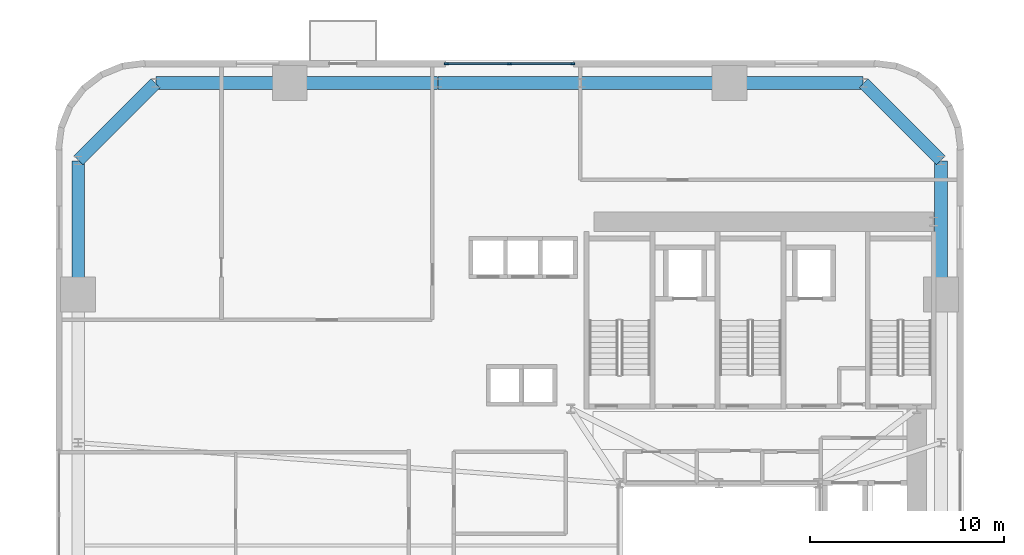
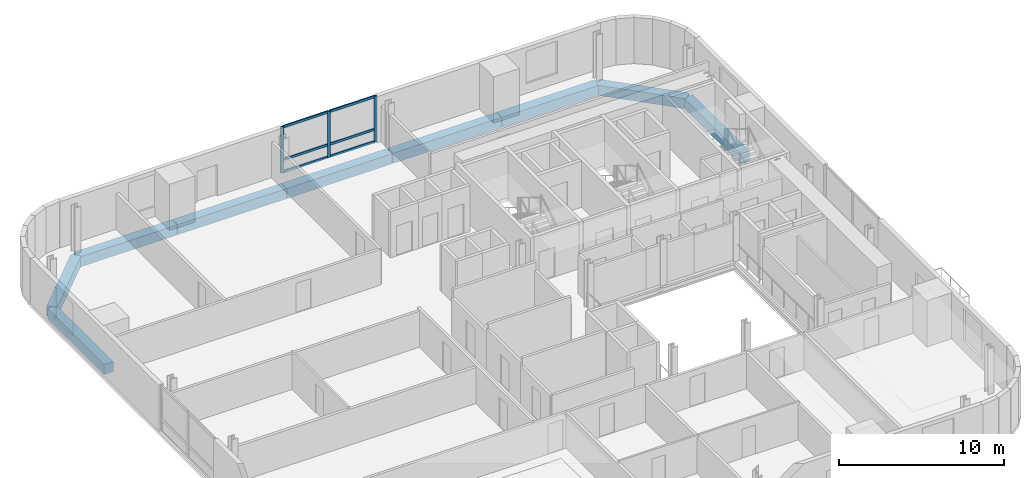
# One storey, part 4 of 13: 9 beams, 9 members, 1 element without a shape of its own.
"""IFC4 building model written with IfcOpenShell, lengths in metres."""

from ifc_helpers import new_model, si_unit, direction, frame, origin, origin_2d, place, context, subcontext, project, spatial, rectangle, extrude, source, transform, mapped, material, material_profile, profile_set, type_object, element, aggregate, save


model = new_model("IFC4")

# Units and contexts
model_context = context("Model", 3, precision=1e-05, world=origin(), true_north=direction((0.0, 1.0)))
body_context = subcontext(model_context, "Body", "Model", "MODEL_VIEW")
ifc_project = project(units=[si_unit("LENGTHUNIT", "METRE"), si_unit("AREAUNIT", "SQUARE_METRE"), si_unit("VOLUMEUNIT", "CUBIC_METRE"), si_unit("PLANEANGLEUNIT", "RADIAN"), si_unit("MASSUNIT", "GRAM", prefix="KILO")], contexts=[model_context])

# Site, building, storey
site_placement = place(None, origin())
site = spatial("IfcSite", under=ifc_project, at=site_placement, CompositionType="ELEMENT")
building_placement = place(site_placement, origin())
building = spatial("IfcBuilding", under=site, at=building_placement, Name="Vardaveli Station Tower", CompositionType="ELEMENT")
storey_placement = place(building_placement, frame((0.0, 0.0, 67.75)))
storey = spatial("IfcBuildingStorey", under=building, at=storey_placement, Name="L17", CompositionType="ELEMENT", Elevation=67.75)

# Beams
ifc_material_1 = material(Name="Precast concrete C45/55", Category="concrete")
ifc_material_profile_1 = material_profile(ifc_material_1, rectangle(XDim=0.64990234375, YDim=0.75, at=origin_2d()), Name="LPB 650x750")
ifc_profile_set_1 = profile_set([ifc_material_profile_1], Name="Precast concrete C45/55")
beam_type = type_object("IfcBeamType", Name="BM-LPB-750", PredefinedType="BEAM", material=ifc_profile_set_1)
shared_shape_1 = source(origin(), body_context, "Body", "SweptSolid", [
    extrude(rectangle(XDim=0.64990234375, YDim=0.75, at=origin_2d()), origin(), (0.0, 0.0, 1.0), 7.60009765625),
])
for number, where, z_axis, x_axis, name in (
    (1, (36.820068359375, 47.449951171875, -0.614990234375), (-1.0, 0.0, 0.0), (0.0, -1.0, 0.0), "RBM-L17-13"),
    (2, (21.780029296875, 47.449951171875, -0.614990234375), (-1.0, 0.0, 0.0), (0.0, -1.0, 0.0), "RBM-L17-15"),
):
    element("IfcBeam", number, at=place(storey_placement, frame(where, z_axis=z_axis, x_axis=x_axis)), inside=storey, type_object=beam_type, Name=name, PredefinedType="BEAM", context=body_context, shape_type="MappedRepresentation", body=[
        mapped(shared_shape_1, transform((0.0, 0.0, 0.0), scale=1.0)),
    ])
shared_shape_2 = source(origin(), body_context, "Body", "SweptSolid", [
    extrude(rectangle(XDim=0.64990234375, YDim=0.75, at=origin_2d()), origin(), (0.0, 0.0, 1.0), 7.35986328125),
])
beam_placement = place(storey_placement, frame((29.179931640625, 47.449951171875, -0.614990234375), z_axis=(-1.0, 0.0, 0.0), x_axis=(0.0, -1.0, 0.0)))
element("IfcBeam", 3, at=beam_placement, inside=storey, type_object=beam_type, Name="RBM-L17-14", PredefinedType="BEAM", context=body_context, shape_type="MappedRepresentation", body=[
    mapped(shared_shape_2, transform((0.0, 0.0, 0.0), scale=1.0)),
])
shared_shape_3 = source(origin(), body_context, "Body", "SweptSolid", [
    extrude(rectangle(XDim=0.64990234375, YDim=0.75, at=origin_2d()), origin(), (0.0, 0.0, 1.0), 6.869873046875),
])
for number, where, z_axis, x_axis, name in (
    (4, (47.75, 36.56005859375, -0.614990234375), (0.0, 1.0, 0.0), (-1.0, 0.0, 0.0), "RBM-L17-10"),
    (5, (43.72998046875, 47.449951171875, -0.614990234375), (-1.0, 0.0, 0.0), (0.0, -1.0, 0.0), "RBM-L17-12"),
    (6, (14.139892578125, 47.449951171875, -0.614990234375), (-1.0, 0.0, 0.0), (0.0, -1.0, 0.0), "RBM-L17-16"),
    (7, (3.25, 43.429931640625, -0.614990234375), (0.0, -1.0, 0.0), (1.0, 0.0, 0.0), "RBM-L17-18"),
):
    element("IfcBeam", number, at=place(storey_placement, frame(where, z_axis=z_axis, x_axis=x_axis)), inside=storey, type_object=beam_type, Name=name, PredefinedType="BEAM", context=body_context, shape_type="MappedRepresentation", body=[
        mapped(shared_shape_3, transform((0.0, 0.0, 0.0), scale=1.0)),
    ])
shared_shape_4 = source(origin(), body_context, "Body", "SweptSolid", [
    extrude(rectangle(XDim=0.64990234375, YDim=0.75, at=origin_2d()), origin(), (0.0, 0.0, 1.0), 5.61669921875),
])
for number, where, z_axis, x_axis, name in (
    (8, (47.73583984375, 43.464111328125, -0.614990234375), (-0.707106781187, 0.707106781187, 0.0), (-0.707106781187, -0.707106781187, 0.0), "RBM-L17-11"),
    (9, (7.23583984375, 47.435791015625, -0.614990234375), (-0.707106781187, -0.707106781187, 0.0), (0.707106781187, -0.707106781187, 0.0), "RBM-L17-17"),
):
    element("IfcBeam", number, at=place(storey_placement, frame(where, z_axis=z_axis, x_axis=x_axis)), inside=storey, type_object=beam_type, Name=name, PredefinedType="BEAM", context=body_context, shape_type="MappedRepresentation", body=[
        mapped(shared_shape_4, transform((0.0, 0.0, 0.0), scale=1.0)),
    ])

# Curtain wall, members
ifc_material_2 = material(Name="Travertine stone and solar-control glass", Category="masonry")
curtain_wall_type = type_object("IfcCurtainWallType", Name="CW-SYS-2", PredefinedType="NOTDEFINED", material=ifc_material_2)
curtain_wall_placement = place(storey_placement, origin())
curtain_wall = element("IfcCurtainWall", 10, at=curtain_wall_placement, inside=storey, type_object=curtain_wall_type, Name="CW-L17-N", PredefinedType="NOTDEFINED")
ifc_material_3 = material(Name="Anodised aluminium alloy 6063-T6", Category="aluminium")
ifc_material_profile_2 = material_profile(ifc_material_3, rectangle(XDim=0.0849609375, YDim=0.219970703125, at=origin_2d()), Name="CWM 85x220")
ifc_profile_set_2 = profile_set([ifc_material_profile_2], Name="Anodised aluminium alloy 6063-T6")
member_type_1 = type_object("IfcMemberType", Name="CW-SYS-2-MULL", PredefinedType="MULLION", material=ifc_profile_set_2)
shared_shape_5 = source(origin(), body_context, "Body", "SweptSolid", [
    extrude(rectangle(XDim=0.0849609375, YDim=0.219970703125, at=origin_2d()), origin(), (0.0, 0.0, 1.0), 3.409912109375),
])
member_1_placement = place(storey_placement, frame((28.757568359375, 48.43994140625, 0.0), z_axis=(0.0, 0.0, 1.0), x_axis=(0.0, -1.0, 0.0)))
member_1 = element("IfcMember", 11, at=member_1_placement, type_object=member_type_1, Name="CW-2 mullion 1", PredefinedType="MULLION", context=body_context, shape_type="MappedRepresentation", body=[
    mapped(shared_shape_5, transform((0.0, 0.0, 0.0), scale=1.0)),
])
member_2_placement = place(storey_placement, frame((25.5, 48.43994140625, 0.0), z_axis=(0.0, 0.0, 1.0), x_axis=(0.0, -1.0, 0.0)))
member_2 = element("IfcMember", 12, at=member_2_placement, type_object=member_type_1, Name="CW-2 mullion 2", PredefinedType="MULLION", context=body_context, shape_type="MappedRepresentation", body=[
    mapped(shared_shape_5, transform((0.0, 0.0, 0.0), scale=1.0)),
])
member_3_placement = place(storey_placement, frame((22.242431640625, 48.43994140625, 0.0), z_axis=(0.0, 0.0, 1.0), x_axis=(0.0, -1.0, 0.0)))
member_3 = element("IfcMember", 13, at=member_3_placement, type_object=member_type_1, Name="CW-2 mullion 3", PredefinedType="MULLION", context=body_context, shape_type="MappedRepresentation", body=[
    mapped(shared_shape_5, transform((0.0, 0.0, 0.0), scale=1.0)),
])
ifc_material_profile_3 = material_profile(ifc_material_3, rectangle(XDim=0.0849609375, YDim=0.179931640625, at=origin_2d()), Name="CWT 85x180")
ifc_profile_set_3 = profile_set([ifc_material_profile_3], Name="Anodised aluminium alloy 6063-T6")
member_type_2 = type_object("IfcMemberType", Name="CW-SYS-2-TRAN", PredefinedType="NOTDEFINED", material=ifc_profile_set_3)
shared_shape_6 = source(origin(), body_context, "Body", "SweptSolid", [
    extrude(rectangle(XDim=0.0849609375, YDim=0.179931640625, at=origin_2d()), origin(), (0.0, 0.0, 1.0), 3.172607421875),
])
member_4_placement = place(storey_placement, frame((28.715087890625, 48.43994140625, 0.04248046875), z_axis=(-1.0, 0.0, 0.0), x_axis=(0.0, -1.0, 0.0)))
member_4 = element("IfcMember", 14, at=member_4_placement, type_object=member_type_2, Name="CW-2 transom 1.1", ObjectType="TRANSOM", PredefinedType="USERDEFINED", context=body_context, shape_type="MappedRepresentation", body=[
    mapped(shared_shape_6, transform((0.0, 0.0, 0.0), scale=1.0)),
])
member_5_placement = place(storey_placement, frame((28.715087890625, 48.43994140625, 0.949951171875), z_axis=(-1.0, 0.0, 0.0), x_axis=(0.0, -1.0, 0.0)))
member_5 = element("IfcMember", 15, at=member_5_placement, type_object=member_type_2, Name="CW-2 transom 1.2", ObjectType="TRANSOM", PredefinedType="USERDEFINED", context=body_context, shape_type="MappedRepresentation", body=[
    mapped(shared_shape_6, transform((0.0, 0.0, 0.0), scale=1.0)),
])
member_6_placement = place(storey_placement, frame((28.715087890625, 48.43994140625, 3.367431640625), z_axis=(-1.0, 0.0, 0.0), x_axis=(0.0, -1.0, 0.0)))
member_6 = element("IfcMember", 16, at=member_6_placement, type_object=member_type_2, Name="CW-2 transom 1.3", ObjectType="TRANSOM", PredefinedType="USERDEFINED", context=body_context, shape_type="MappedRepresentation", body=[
    mapped(shared_shape_6, transform((0.0, 0.0, 0.0), scale=1.0)),
])
member_7_placement = place(storey_placement, frame((25.45751953125, 48.43994140625, 0.04248046875), z_axis=(-1.0, 0.0, 0.0), x_axis=(0.0, -1.0, 0.0)))
member_7 = element("IfcMember", 17, at=member_7_placement, type_object=member_type_2, Name="CW-2 transom 2.1", ObjectType="TRANSOM", PredefinedType="USERDEFINED", context=body_context, shape_type="MappedRepresentation", body=[
    mapped(shared_shape_6, transform((0.0, 0.0, 0.0), scale=1.0)),
])
member_8_placement = place(storey_placement, frame((25.45751953125, 48.43994140625, 0.949951171875), z_axis=(-1.0, 0.0, 0.0), x_axis=(0.0, -1.0, 0.0)))
member_8 = element("IfcMember", 18, at=member_8_placement, type_object=member_type_2, Name="CW-2 transom 2.2", ObjectType="TRANSOM", PredefinedType="USERDEFINED", context=body_context, shape_type="MappedRepresentation", body=[
    mapped(shared_shape_6, transform((0.0, 0.0, 0.0), scale=1.0)),
])
member_9_placement = place(storey_placement, frame((25.45751953125, 48.43994140625, 3.367431640625), z_axis=(-1.0, 0.0, 0.0), x_axis=(0.0, -1.0, 0.0)))
member_9 = element("IfcMember", 19, at=member_9_placement, type_object=member_type_2, Name="CW-2 transom 2.3", ObjectType="TRANSOM", PredefinedType="USERDEFINED", context=body_context, shape_type="MappedRepresentation", body=[
    mapped(shared_shape_6, transform((0.0, 0.0, 0.0), scale=1.0)),
])
aggregate(curtain_wall, [member_1, member_2, member_3, member_4, member_5, member_6, member_7, member_8, member_9])

save(model, "model.ifc")
